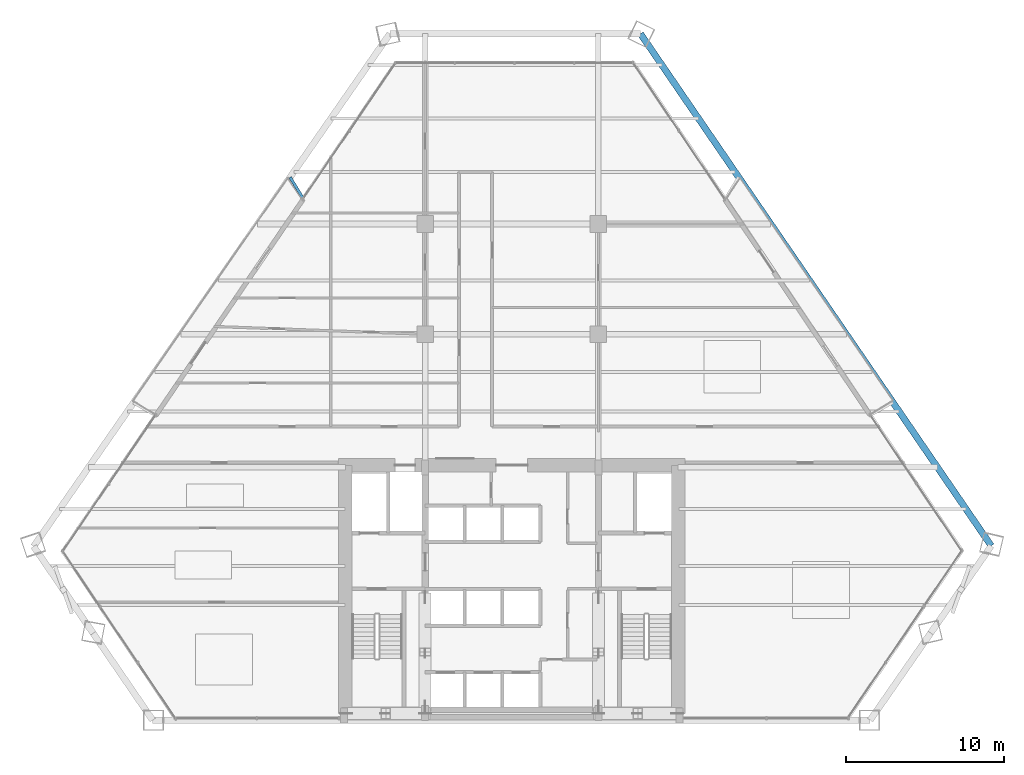
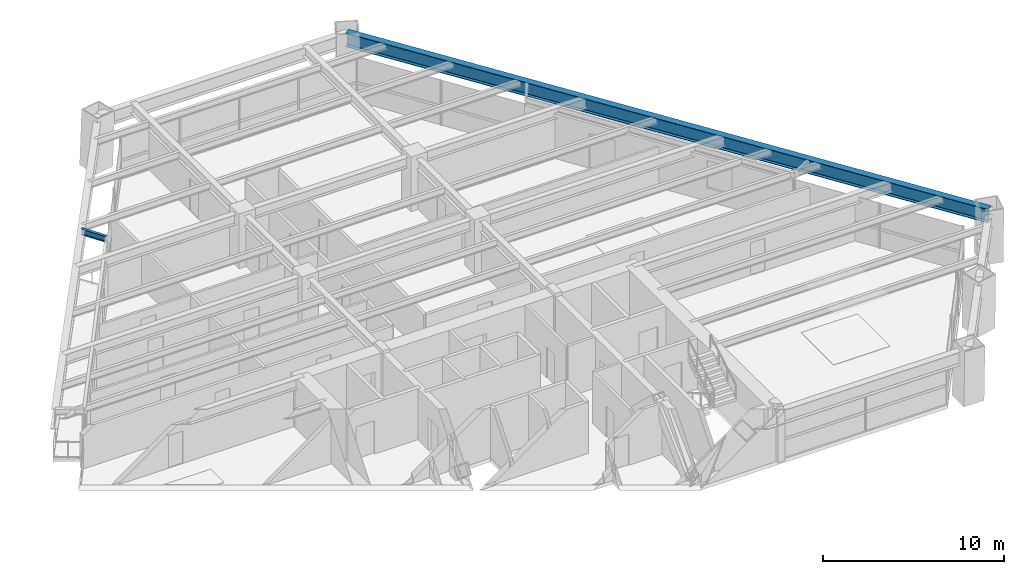
# One storey, part 7 of 14: 2 beams.
"""IFC4 building model written with IfcOpenShell, lengths in metres."""

from ifc_helpers import new_model, si_unit, direction, frame, origin, origin_2d, place, context, subcontext, project, spatial, i_section, extrude, source, transform, mapped, material, material_profile, profile_set, type_object, element, save


model = new_model("IFC4")

# Units and contexts
model_context = context("Model", 3, precision=1e-05, world=origin(), true_north=direction((0.0, 1.0)))
body_context = subcontext(model_context, "Body", "Model", "MODEL_VIEW")
ifc_project = project(units=[si_unit("LENGTHUNIT", "METRE"), si_unit("AREAUNIT", "SQUARE_METRE"), si_unit("VOLUMEUNIT", "CUBIC_METRE"), si_unit("PLANEANGLEUNIT", "RADIAN"), si_unit("MASSUNIT", "GRAM", prefix="KILO")], contexts=[model_context])

# Site, building, storey
site_placement = place(None, origin())
site = spatial("IfcSite", under=ifc_project, at=site_placement, CompositionType="ELEMENT")
building_placement = place(site_placement, origin())
building = spatial("IfcBuilding", under=site, at=building_placement, Name="Varnakhor Terracotta Tower", CompositionType="ELEMENT")
storey_placement = place(building_placement, frame((0.0, 0.0, 42.300048828125)))
storey = spatial("IfcBuildingStorey", under=building, at=storey_placement, Name="L09", CompositionType="ELEMENT", Elevation=42.300048828125)

# Beams
ifc_material = material(Name="Steel S355", Category="steel")
ifc_material_profile_1 = material_profile(ifc_material, i_section(OverallWidth=0.41796875, OverallDepth=0.927001953125, WebThickness=0.01904296875, FlangeThickness=0.031982421875, FilletRadius=0.01806640625, at=origin_2d()), Name="W36X231")
ifc_profile_set_1 = profile_set([ifc_material_profile_1], Name="Steel S355")
beam_type_1 = type_object("IfcBeamType", Name="BM-W36X231", PredefinedType="BEAM", material=ifc_profile_set_1)
shared_shape_1 = source(origin(), body_context, "Body", "SweptSolid", [
    extrude(i_section(OverallWidth=0.41796875, OverallDepth=0.927001953125, WebThickness=0.01904296875, FlangeThickness=0.031982421875, FilletRadius=0.01806640625, at=origin_2d()), origin(), (0.0, 0.0, 1.0), 39.413330078125),
])
beam_1_placement = place(storey_placement, frame((30.437255859375, 11.064453125, 2.986572265625), z_axis=(-0.565104426997, 0.825019385583, 0.0), x_axis=(-0.825019385583, -0.565104426997, 0.0)))
element("IfcBeam", 1, at=beam_1_placement, inside=storey, type_object=beam_type_1, Name="L09 Perimeter Spandrel 4", PredefinedType="BEAM", context=body_context, shape_type="MappedRepresentation", body=[
    mapped(shared_shape_1, transform((0.0, 0.0, 0.0), scale=1.0)),
])
ifc_material_profile_2 = material_profile(ifc_material, i_section(OverallWidth=0.179931640625, OverallDepth=0.39990234375, WebThickness=0.008544921875, FlangeThickness=0.013427734375, FilletRadius=0.01806640625, at=origin_2d()), Name="IPE400")
ifc_profile_set_2 = profile_set([ifc_material_profile_2], Name="Steel S355")
beam_type_2 = type_object("IfcBeamType", Name="JST-IPE400", PredefinedType="JOIST", material=ifc_profile_set_2)
shared_shape_2 = source(origin(), body_context, "Body", "SweptSolid", [
    extrude(i_section(OverallWidth=0.179931640625, OverallDepth=0.39990234375, WebThickness=0.008544921875, FlangeThickness=0.013427734375, FilletRadius=0.01806640625, at=origin_2d()), origin(), (0.0, 0.0, 1.0), 1.5771484375),
])
beam_2_placement = place(storey_placement, frame((-13.247802734375, 33.1220703125, 3.25), z_axis=(-0.522576576888, 0.852592353524, 0.0), x_axis=(-0.852592353524, -0.522576576888, 0.0)))
element("IfcBeam", 2, at=beam_2_placement, inside=storey, type_object=beam_type_2, Name="L10 W Loggia Tie Beam 2", PredefinedType="JOIST", context=body_context, shape_type="MappedRepresentation", body=[
    mapped(shared_shape_2, transform((0.0, 0.0, 0.0), scale=1.0)),
])

save(model, "model.ifc")
